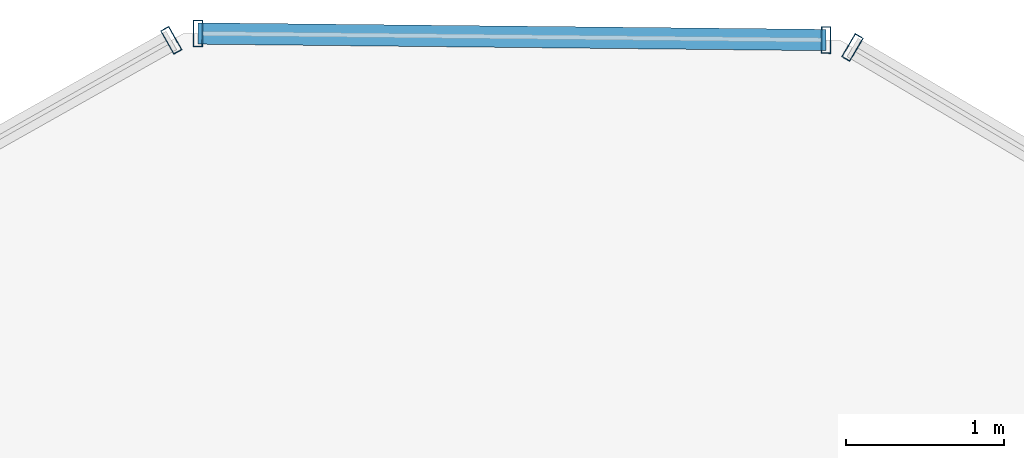
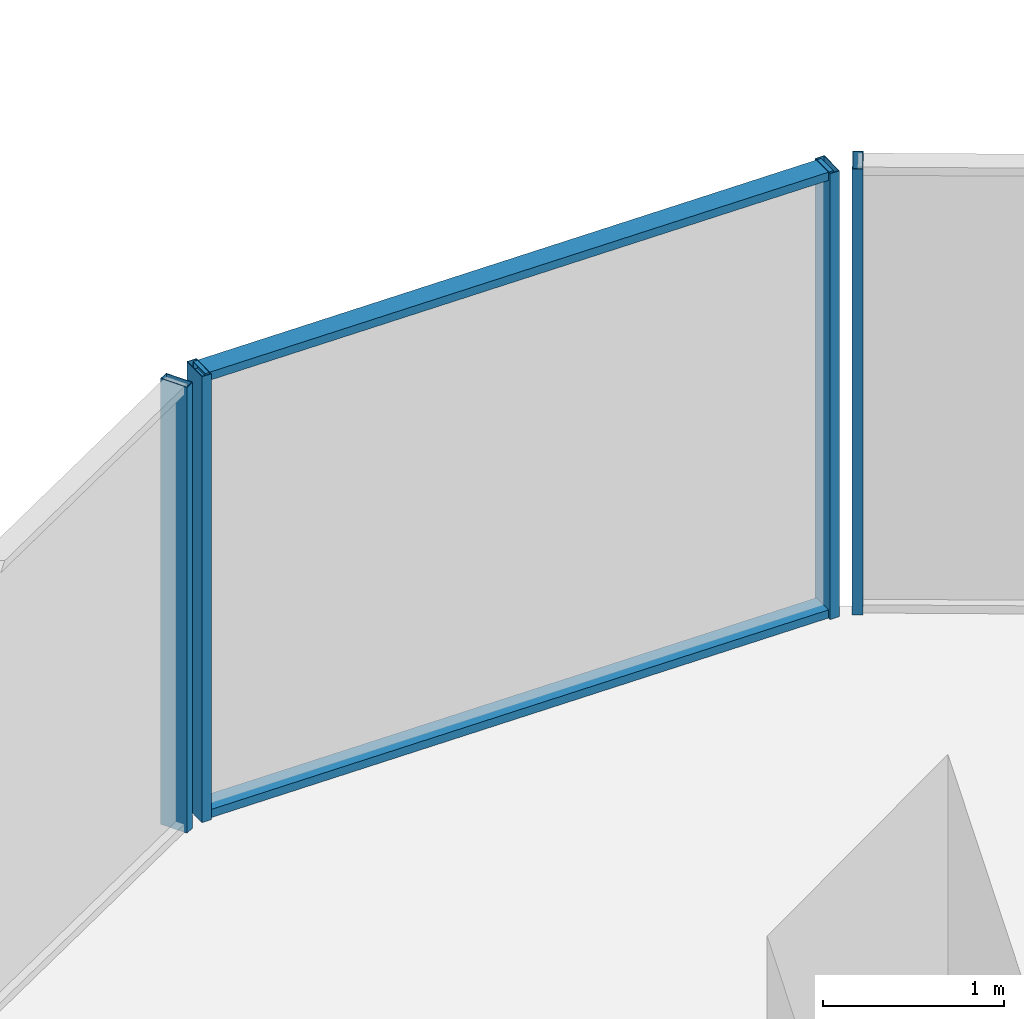
# One storey, part 23 of 30: 6 members, 3 elements without a shape of their own.
"""IFC4 building model written with IfcOpenShell, lengths in metres."""

from ifc_helpers import new_model, si_unit, direction, frame, origin, origin_2d, place, context, subcontext, project, spatial, hollow_rectangle, extrude, source, transform, mapped, material, layer, layer_set, material_profile, profile_set, type_object, element, aggregate, save


model = new_model("IFC4")

# Units and contexts
model_context = context("Model", 3, precision=1e-05, world=origin(), true_north=direction((0.0, 1.0)))
body_context = subcontext(model_context, "Body", "Model", "MODEL_VIEW")
ifc_project = project(units=[si_unit("LENGTHUNIT", "METRE"), si_unit("AREAUNIT", "SQUARE_METRE"), si_unit("VOLUMEUNIT", "CUBIC_METRE"), si_unit("PLANEANGLEUNIT", "RADIAN"), si_unit("MASSUNIT", "GRAM", prefix="KILO")], contexts=[model_context])

# Site, building, storey
site_placement = place(None, origin())
site = spatial("IfcSite", under=ifc_project, at=site_placement, CompositionType="ELEMENT")
building_placement = place(site_placement, origin())
building = spatial("IfcBuilding", under=site, at=building_placement, Name="Veraguas Prism Commons", CompositionType="ELEMENT")
storey_placement = place(building_placement, frame((0.0, 0.0, 126.25)))
storey = spatial("IfcBuildingStorey", under=building, at=storey_placement, Name="L35", CompositionType="ELEMENT", Elevation=126.25)

# Curtain wall, member
ifc_material = material(Name="Anodised aluminium EN AW-6063 T6", Category="aluminium")
ifc_layer = layer(ifc_material, 0.169921875, Name="Unitised Flush Curtain Wall Zone 2", Category="aluminium")
ifc_layer_set = layer_set([ifc_layer], Name="Anodised aluminium EN AW-6063 T6")
curtain_wall_type = type_object("IfcCurtainWallType", Name="Unitised Flush Curtain Wall Zone 2", PredefinedType="NOTDEFINED", material=ifc_layer_set)
curtain_wall_1_placement = place(storey_placement, origin())
curtain_wall_1 = element("IfcCurtainWall", 1, at=curtain_wall_1_placement, inside=storey, type_object=curtain_wall_type, Name="Tower Facade Curtain Wall L35-F1", PredefinedType="NOTDEFINED")
ifc_material_profile_1 = material_profile(ifc_material, hollow_rectangle(XDim=0.06005859375, YDim=0.169921875, WallThickness=0.00390625, at=origin_2d()), Name="AL60X170X4")
ifc_profile_set_1 = profile_set([ifc_material_profile_1], Name="Anodised aluminium EN AW-6063 T6")
member_type_1 = type_object("IfcMemberType", Name="Curtain Wall Mullion Lower AL 60x170x4", PredefinedType="MULLION", material=ifc_profile_set_1)
shared_shape_1 = source(origin(), body_context, "Body", "SweptSolid", [
    extrude(hollow_rectangle(XDim=0.06005859375, YDim=0.169921875, WallThickness=0.00390625, at=origin_2d()), origin(), (0.0, 0.0, 1.0), 3.0),
])
member_1_placement = place(storey_placement, frame((26.373291015625, 44.88232421875, 0.0), z_axis=(0.0, 0.0, 1.0), x_axis=(-0.860742027004, 0.50904141575, 0.0)))
member_1 = element("IfcMember", 2, at=member_1_placement, type_object=member_type_1, Name="CW-Z2 Mullion 5", PredefinedType="MULLION", context=body_context, shape_type="MappedRepresentation", body=[
    mapped(shared_shape_1, transform((0.0, 0.0, 0.0), scale=1.0)),
])
aggregate(curtain_wall_1, [member_1])

curtain_wall_2_placement = place(storey_placement, origin())
curtain_wall_2 = element("IfcCurtainWall", 3, at=curtain_wall_2_placement, inside=storey, type_object=curtain_wall_type, Name="Tower Facade Curtain Wall L35-F2", PredefinedType="NOTDEFINED")
member_2_placement = place(storey_placement, frame((22.064453125, 44.927490234375, 0.0), z_axis=(0.0, 0.0, 1.0), x_axis=(-0.871214667908, -0.490902233059, 0.0)))
member_2 = element("IfcMember", 4, at=member_2_placement, type_object=member_type_1, Name="CW-Z2 Mullion 1", PredefinedType="MULLION", context=body_context, shape_type="MappedRepresentation", body=[
    mapped(shared_shape_1, transform((0.0, 0.0, 0.0), scale=1.0)),
])
aggregate(curtain_wall_2, [member_2])

# Curtain wall, members
curtain_wall_3_placement = place(storey_placement, origin())
curtain_wall_3 = element("IfcCurtainWall", 5, at=curtain_wall_3_placement, inside=storey, type_object=curtain_wall_type, Name="Chamfer Curtain Wall L35-C2", PredefinedType="NOTDEFINED")
member_3_placement = place(storey_placement, frame((26.205810546875, 44.92919921875, 0.0), z_axis=(0.0, 0.0, 1.0), x_axis=(-0.999945004752, 0.010487491217, 0.0)))
member_3 = element("IfcMember", 6, at=member_3_placement, type_object=member_type_1, Name="CW-Z2 Mullion 1", PredefinedType="MULLION", context=body_context, shape_type="MappedRepresentation", body=[
    mapped(shared_shape_1, transform((0.0, 0.0, 0.0), scale=1.0)),
])
member_4_placement = place(storey_placement, frame((22.23291015625, 44.970703125, 0.0), z_axis=(0.0, 0.0, 1.0), x_axis=(-0.999945004752, 0.010487491217, 0.0)))
member_4 = element("IfcMember", 7, at=member_4_placement, type_object=member_type_1, Name="CW-Z2 Mullion 2", PredefinedType="MULLION", context=body_context, shape_type="MappedRepresentation", body=[
    mapped(shared_shape_1, transform((0.0, 0.0, 0.0), scale=1.0)),
])
ifc_material_profile_2 = material_profile(ifc_material, hollow_rectangle(XDim=0.054931640625, YDim=0.135009765625, WallThickness=0.0029296875, at=origin_2d()), Name="AL55X135X3")
ifc_profile_set_2 = profile_set([ifc_material_profile_2], Name="Anodised aluminium EN AW-6063 T6")
member_type_2 = type_object("IfcMemberType", Name="Curtain Wall Transom Standard AL 55x135x3", PredefinedType="USERDEFINED", material=ifc_profile_set_2)
shared_shape_2 = source(origin(), body_context, "Body", "SweptSolid", [
    extrude(hollow_rectangle(XDim=0.054931640625, YDim=0.135009765625, WallThickness=0.0029296875, at=origin_2d()), origin(), (0.0, 0.0, 1.0), 3.97314453125),
])
member_5_placement = place(storey_placement, frame((26.205810546875, 44.92919921875, 0.027587890625), z_axis=(-0.999945437149, 0.010446182284, 0.0), x_axis=(0.0, 0.0, 1.0)))
member_5 = element("IfcMember", 8, at=member_5_placement, type_object=member_type_2, Name="CW-Z2 Transom 1", ObjectType="TRANSOM", PredefinedType="USERDEFINED", context=body_context, shape_type="MappedRepresentation", body=[
    mapped(shared_shape_2, transform((0.0, 0.0, 0.0), scale=1.0)),
])
member_6_placement = place(storey_placement, frame((26.205810546875, 44.92919921875, 2.972412109375), z_axis=(-0.999945437149, 0.010446182284, 0.0), x_axis=(0.0, 0.0, 1.0)))
member_6 = element("IfcMember", 9, at=member_6_placement, type_object=member_type_2, Name="CW-Z2 Transom 2", ObjectType="TRANSOM", PredefinedType="USERDEFINED", context=body_context, shape_type="MappedRepresentation", body=[
    mapped(shared_shape_2, transform((0.0, 0.0, 0.0), scale=1.0)),
])
aggregate(curtain_wall_3, [member_3, member_4, member_5, member_6])

save(model, "model.ifc")
